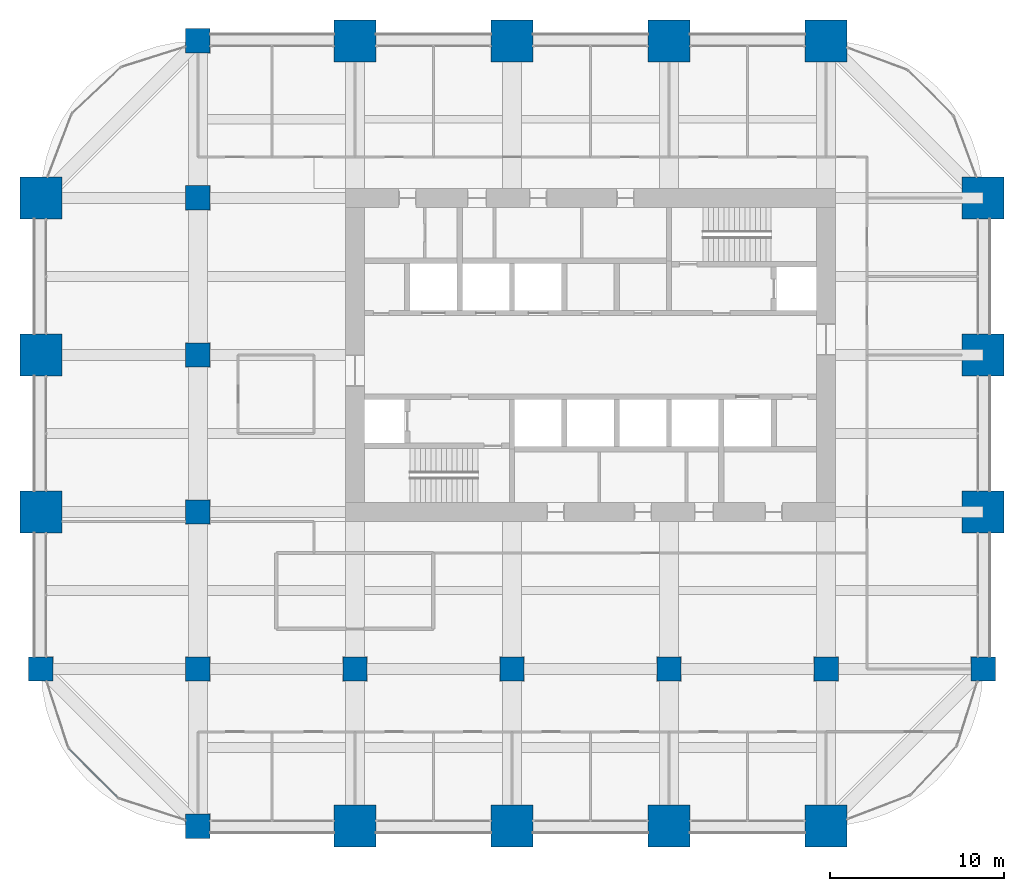
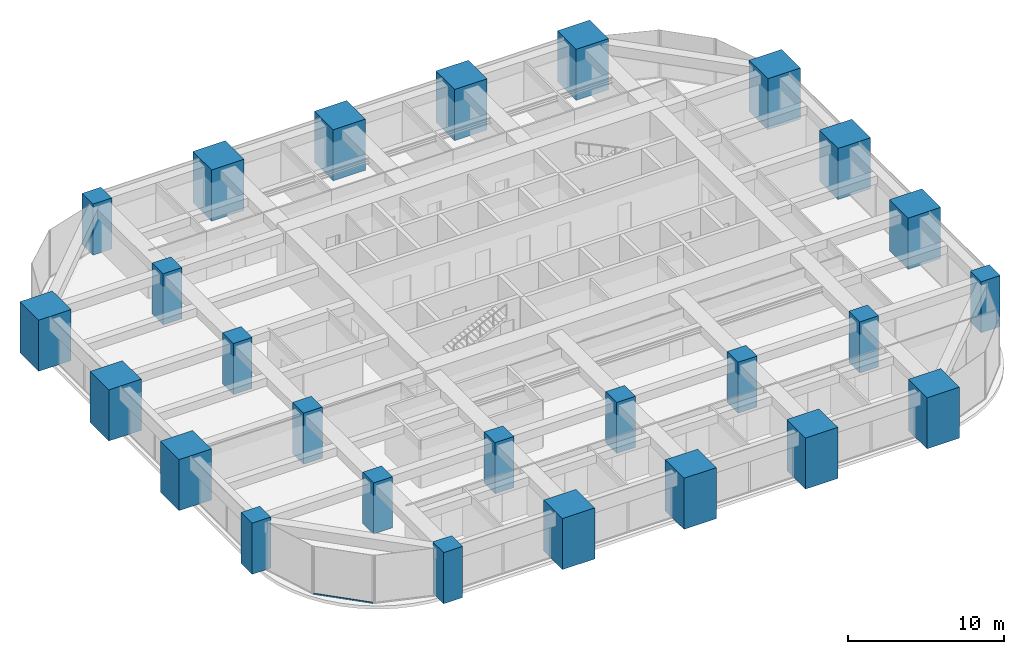
# One storey, part 1 of 33: 26 columns, 1 member, 1 element without a shape of its own.
"""IFC4 building model written with IfcOpenShell, lengths in metres."""

from ifc_helpers import new_model, si_unit, direction, frame, origin, origin_2d, place, context, subcontext, project, spatial, rectangle, hollow_rectangle, extrude, material, material_profile, profile_set, type_object, element, aggregate, save


model = new_model("IFC4")

# Units and contexts
model_context = context("Model", 3, precision=1e-05, world=origin(), true_north=direction((0.0, 1.0)))
body_context = subcontext(model_context, "Body", "Model", "MODEL_VIEW")
ifc_project = project(units=[si_unit("LENGTHUNIT", "METRE"), si_unit("AREAUNIT", "SQUARE_METRE"), si_unit("VOLUMEUNIT", "CUBIC_METRE"), si_unit("PLANEANGLEUNIT", "RADIAN"), si_unit("MASSUNIT", "GRAM", prefix="KILO")], contexts=[model_context])

# Site, building, storey
site_placement = place(None, origin())
site = spatial("IfcSite", under=ifc_project, at=site_placement, CompositionType="ELEMENT")
building_placement = place(site_placement, origin())
building = spatial("IfcBuilding", under=site, at=building_placement, Name="Zorevar Civic Tower", CompositionType="ELEMENT")
storey_placement = place(building_placement, frame((0.0, 0.0, 206.199951171875)))
storey = spatial("IfcBuildingStorey", under=building, at=storey_placement, Name="L50", CompositionType="ELEMENT", Elevation=206.199951171875)

# Columns
ifc_material_1 = material(Name="Concrete C50/60", Category="concrete")
ifc_material_profile_1 = material_profile(ifc_material_1, rectangle(XDim=1.39990234375, YDim=1.39990234375, at=origin_2d()), Name="RC 1400x1400")
ifc_profile_set_1 = profile_set([ifc_material_profile_1], Name="Concrete C50/60")
column_type_1 = type_object("IfcColumnType", Name="Column RC 1400x1400", PredefinedType="COLUMN", material=ifc_profile_set_1)
for number, where, z_axis, x_axis, name in (
    (1, (0.0, 9.0, 0.0), (0.0, 0.0, 1.0), (1.0, 0.0, 0.0), "Column 2B L50"),
    (2, (9.0, 0.0, 0.0), (0.0, 0.0, 1.0), (1.0, 0.0, 0.0), "Column 3A L50"),
    (3, (9.0, 9.0, 0.0), (0.0, 0.0, 1.0), (1.0, 0.0, 0.0), "Column 3B L50"),
    (4, (9.0, 18.0, 0.0), (0.0, 0.0, 1.0), (1.0, 0.0, 0.0), "Column 3C L50"),
    (5, (9.0, 27.0, 0.0), (0.0, 0.0, 1.0), (1.0, 0.0, 0.0), "Column 3D L50"),
    (6, (9.0, 36.0, 0.0), (0.0, 0.0, 1.0), (1.0, 0.0, 0.0), "Column 3E L50"),
    (7, (9.0, 45.0, 0.0), (0.0, 0.0, 1.0), (1.0, 0.0, 0.0), "Column 3F L50"),
    (8, (18.0, 9.0, 0.0), (0.0, 0.0, 1.0), (1.0, 0.0, 0.0), "Column 4B L50"),
    (9, (27.0, 9.0, 0.0), (0.0, 0.0, 1.0), (1.0, 0.0, 0.0), "Column 5B L50"),
    (10, (36.0, 9.0, 0.0), (0.0, 0.0, 1.0), (1.0, 0.0, 0.0), "Column 6B L50"),
    (11, (45.0, 9.0, 0.0), (0.0, 0.0, 1.0), (1.0, 0.0, 0.0), "Column 7B L50"),
    (12, (54.0, 9.0, 0.0), (0.0, 0.0, 1.0), (1.0, 0.0, 0.0), "Column 8B L50"),
):
    element("IfcColumn", number, at=place(storey_placement, frame(where, z_axis=z_axis, x_axis=x_axis)), inside=storey, type_object=column_type_1, Name=name, PredefinedType="COLUMN", context=body_context, shape_type="SweptSolid", body=[
        extrude(rectangle(XDim=1.39990234375, YDim=1.39990234375, at=origin_2d()), origin(), (0.0, 0.0, 1.0), 4.0),
    ])
ifc_material_2 = material(Name="Concrete C50/60", Category="concrete")
ifc_material_profile_2 = material_profile(ifc_material_2, rectangle(XDim=2.39990234375, YDim=2.39990234375, at=origin_2d()), Name="RC 2400x2400")
ifc_profile_set_2 = profile_set([ifc_material_profile_2], Name="Concrete C50/60")
column_type_2 = type_object("IfcColumnType", Name="Mega column RC 2400x2400", PredefinedType="COLUMN", material=ifc_profile_set_2)
for number, where, z_axis, x_axis, name in (
    (13, (0.0, 18.0, 0.0), (0.0, 0.0, 1.0), (1.0, 0.0, 0.0), "Column 2C L50"),
    (14, (0.0, 27.0, 0.0), (0.0, 0.0, 1.0), (1.0, 0.0, 0.0), "Column 2D L50"),
    (15, (0.0, 36.0, 0.0), (0.0, 0.0, 1.0), (1.0, 0.0, 0.0), "Column 2E L50"),
    (16, (18.0, 0.0, 0.0), (0.0, 0.0, 1.0), (1.0, 0.0, 0.0), "Column 4A L50"),
    (17, (18.0, 45.0, 0.0), (0.0, 0.0, 1.0), (1.0, 0.0, 0.0), "Column 4F L50"),
    (18, (27.0, 0.0, 0.0), (0.0, 0.0, 1.0), (1.0, 0.0, 0.0), "Column 5A L50"),
    (19, (27.0, 45.0, 0.0), (0.0, 0.0, 1.0), (1.0, 0.0, 0.0), "Column 5F L50"),
    (20, (36.0, 0.0, 0.0), (0.0, 0.0, 1.0), (1.0, 0.0, 0.0), "Column 6A L50"),
    (21, (36.0, 45.0, 0.0), (0.0, 0.0, 1.0), (1.0, 0.0, 0.0), "Column 6F L50"),
    (22, (45.0, 0.0, 0.0), (0.0, 0.0, 1.0), (1.0, 0.0, 0.0), "Column 7A L50"),
    (23, (45.0, 45.0, 0.0), (0.0, 0.0, 1.0), (1.0, 0.0, 0.0), "Column 7F L50"),
    (24, (54.0, 18.0, 0.0), (0.0, 0.0, 1.0), (1.0, 0.0, 0.0), "Column 8C L50"),
    (25, (54.0, 27.0, 0.0), (0.0, 0.0, 1.0), (1.0, 0.0, 0.0), "Column 8D L50"),
    (26, (54.0, 36.0, 0.0), (0.0, 0.0, 1.0), (1.0, 0.0, 0.0), "Column 8E L50"),
):
    element("IfcColumn", number, at=place(storey_placement, frame(where, z_axis=z_axis, x_axis=x_axis)), inside=storey, type_object=column_type_2, Name=name, PredefinedType="COLUMN", context=body_context, shape_type="SweptSolid", body=[
        extrude(rectangle(XDim=2.39990234375, YDim=2.39990234375, at=origin_2d()), origin(), (0.0, 0.0, 1.0), 4.0),
    ])

# Curtain wall, member
ifc_material_3 = material(Name="Dark grey solar-control glass in black aluminium frame", Category="aluminium")
curtain_wall_type = type_object("IfcCurtainWallType", Name="Curtain wall CW4 high zone", PredefinedType="NOTDEFINED", material=ifc_material_3)
curtain_wall_placement = place(storey_placement, origin())
curtain_wall = element("IfcCurtainWall", 27, at=curtain_wall_placement, inside=storey, type_object=curtain_wall_type, Name="CW4 L50", PredefinedType="NOTDEFINED")
ifc_material_4 = material(Name="Aluminium, black anodised", Category="aluminium")
ifc_material_profile_3 = material_profile(ifc_material_4, hollow_rectangle(XDim=0.06005859375, YDim=0.1201171875, WallThickness=0.0029296875, at=origin_2d()), Name="AL 120x60x3")
ifc_profile_set_3 = profile_set([ifc_material_profile_3], Name="Aluminium, black anodised")
member_type = type_object("IfcMemberType", Name="CW4 transom AL 120x60x3", PredefinedType="USERDEFINED", material=ifc_profile_set_3)
member_placement = place(storey_placement, frame((1.62744140625, 4.406982421875, 0.030029296875), z_axis=(0.707106781187, -0.707106781187, 0.0), x_axis=(0.707106781187, 0.707106781187, 0.0)))
member = element("IfcMember", 28, at=member_placement, type_object=member_type, Name="CW4 sill transom", ObjectType="TRANSOM", PredefinedType="USERDEFINED", context=body_context, shape_type="SweptSolid", body=[
    extrude(hollow_rectangle(XDim=0.06005859375, YDim=0.1201171875, WallThickness=0.0029296875, at=origin_2d()), origin(), (0.0, 0.0, 1.0), 3.930908203125),
])
aggregate(curtain_wall, [member])

save(model, "model.ifc")
